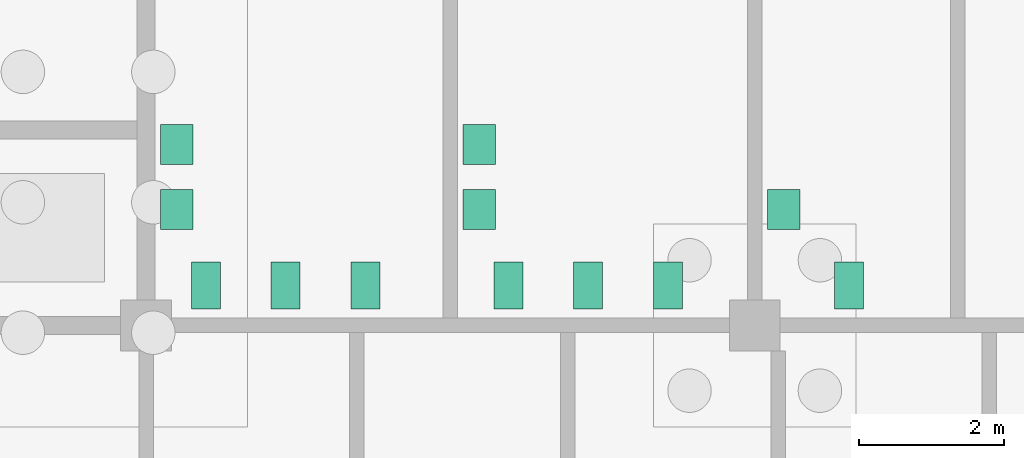
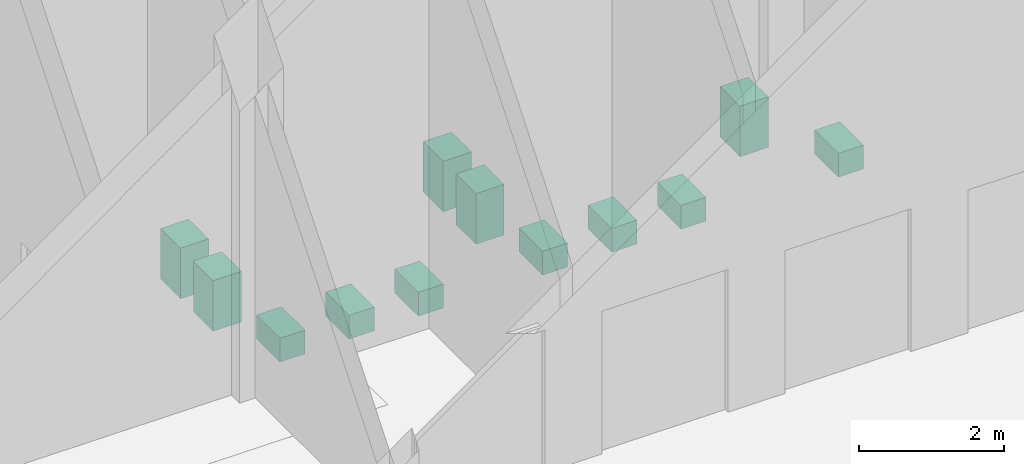
# One storey, part 43 of 46: 12 sanitary terminals.
"""IFC4 building model written with IfcOpenShell, lengths in metres."""

import ifcopenshell
import ifcopenshell.guid

model = None  # the IFC model being written
_history = None  # IfcOwnerHistory: only IFC2X3 demands one
_inside = {}  # id of a spatial element -> (the spatial element, [elements in it])
_under = {}  # id of a project, library or spatial element -> (it, [spatial elements below it])
_declared = {}  # id of a project -> (the project, [libraries it declares])
_typed = {}  # id of a type object -> (the type object, [elements of that type])
_made_of = {}  # id of a material, layer set ... -> (it, [elements and type objects made of it])


def new_model(schema):
    """Start an empty IFC model of exactly this schema.

    Asked for "IFC4X3", IfcOpenShell would pick the latest addendum, in which some entities
    have other attributes; the version numbers below select the first issue.
    IFC2X3 requires an IfcOwnerHistory on every rooted entity: one is made here for all.
    """
    global model, _history
    if schema == "IFC4X3":
        model = ifcopenshell.file(schema_version=(4, 3, 0, 0))
    else:
        model = ifcopenshell.file(schema=schema)
    _inside.clear()
    _under.clear()
    _declared.clear()
    _typed.clear()
    _made_of.clear()
    _history = None
    if model.schema == "IFC2X3":
        org = make("IfcOrganization", Name="unknown")
        user = make(
            "IfcPersonAndOrganization",
            ThePerson=make("IfcPerson", FamilyName="unknown"),
            TheOrganization=org,
        )
        app = make(
            "IfcApplication",
            ApplicationDeveloper=org,
            Version="unknown",
            ApplicationFullName="unknown",
            ApplicationIdentifier="unknown",
        )
        _history = make(
            "IfcOwnerHistory",
            OwningUser=user,
            OwningApplication=app,
            ChangeAction="ADDED",
            CreationDate=0,
        )
    return model


def make(cls, **values):
    """One entity of the class cls with the attributes given. An attribute that is None is left unset."""
    return model.create_entity(
        cls, **{name: value for name, value in values.items() if value is not None}
    )


def rooted(cls, **values):
    """An entity with a GlobalId (a new one), such as an element, a storey or a relation."""
    return make(cls, GlobalId=ifcopenshell.guid.new(), OwnerHistory=_history, **values)


def si_unit(unit_type, name, prefix=None):
    """IfcSIUnit, for example si_unit("LENGTHUNIT", "METRE", prefix="MILLI")."""
    return make("IfcSIUnit", UnitType=unit_type, Prefix=prefix, Name=name)


def assignment(units):
    """IfcUnitAssignment: the units of a project."""
    return None if units is None else make("IfcUnitAssignment", Units=units)


def point(xyz):
    """IfcCartesianPoint."""
    return None if xyz is None else make("IfcCartesianPoint", Coordinates=xyz)


def direction(xyz):
    """IfcDirection."""
    return None if xyz is None else make("IfcDirection", DirectionRatios=xyz)


def frame(location, z_axis=None, x_axis=None):
    """IfcAxis2Placement3D, a coordinate frame: its origin and axes. An axis left out is left unset."""
    return make(
        "IfcAxis2Placement3D",
        Location=point(location),
        Axis=direction(z_axis),
        RefDirection=direction(x_axis),
    )


def frame_2d(location, x_axis=None):
    """IfcAxis2Placement2D, a coordinate frame in the plane: its origin and x axis."""
    return make(
        "IfcAxis2Placement2D", Location=point(location), RefDirection=direction(x_axis)
    )


def origin():
    """The frame at (0, 0, 0) with its axes left unset."""
    return frame((0.0, 0.0, 0.0))


def origin_2d():
    """The frame at (0, 0) in the plane with its x axis left unset."""
    return frame_2d((0.0, 0.0))


def place(relative_to, where):
    """IfcLocalPlacement: puts the frame where relative to a parent placement (None: the world)."""
    return make(
        "IfcLocalPlacement", PlacementRelTo=relative_to, RelativePlacement=where
    )


def context(
    kind, dimensions, precision=None, world=None, true_north=None, identifier=None
):
    """IfcGeometricRepresentationContext, for example the 3D "Model" context."""
    return make(
        "IfcGeometricRepresentationContext",
        ContextIdentifier=identifier,
        ContextType=kind,
        CoordinateSpaceDimension=dimensions,
        Precision=precision,
        WorldCoordinateSystem=world,
        TrueNorth=true_north,
    )


def subcontext(parent, identifier, kind, view, scale=None):
    """IfcGeometricRepresentationSubContext, for example "Body" below "Model"."""
    return make(
        "IfcGeometricRepresentationSubContext",
        ContextIdentifier=identifier,
        ContextType=kind,
        ParentContext=parent,
        TargetScale=scale,
        TargetView=view,
    )


def project(units=None, contexts=None):
    """IfcProject with its units and contexts."""
    return rooted(
        "IfcProject",
        Name="project",
        RepresentationContexts=contexts,
        UnitsInContext=assignment(units),
    )


def spatial(cls, under=None, at=None, **own):
    """A site, building, storey or space (cls), placed at a placement, below another one or the project."""
    s = rooted(cls, ObjectPlacement=at, **own)
    if under is not None:
        _under.setdefault(under.id(), (under, []))[1].append(s)
    return s


def profile(cls, at=None, kind="AREA", **sizes):
    """A parametric profile (cls). Its sizes go by their IFC names, for example OverallWidth=200.0."""
    return make(cls, ProfileType=kind, Position=at, **sizes)


def rectangle(**sizes):
    """IfcRectangleProfileDef."""
    return profile("IfcRectangleProfileDef", **sizes)


def extrude(swept, where, along, depth):
    """IfcExtrudedAreaSolid: the profile swept, set in the frame where, extruded along a direction by depth."""
    return make(
        "IfcExtrudedAreaSolid",
        SweptArea=swept,
        Position=where,
        ExtrudedDirection=direction(along),
        Depth=depth,
    )


def shape(context_of_items, identifier, shape_type, items):
    """IfcShapeRepresentation: the items that make up one representation, for example the "Body"."""
    return make(
        "IfcShapeRepresentation",
        ContextOfItems=context_of_items,
        RepresentationIdentifier=identifier,
        RepresentationType=shape_type,
        Items=items,
    )


def material(Name=None, Category=None):
    """IfcMaterial."""
    return make("IfcMaterial", Name=Name, Category=Category)


def made_of(thing, what):
    """Note that an element or type object is made of a material, layer set ...; save() writes the relation."""
    if what is not None:
        _made_of.setdefault(what.id(), (what, []))[1].append(thing)
    return thing


def element(
    cls,
    number,
    at=None,
    inside=None,
    cuts=None,
    type_object=None,
    material=None,
    context=None,
    identifier="Body",
    shape_type=None,
    held_by="IfcProductDefinitionShape",
    body=None,
    shapes=None,
    **own,
):
    """One element of the class cls, such as IfcWall. Its Tag is "e" and its number.

    at: its placement. inside: the storey or other place that contains it. cuts: it is an
    opening in that element (IfcRelVoidsElement). A single representation is given by context,
    identifier, shape_type and body (its items); several are given by shapes. held_by: the class
    of the entity that holds the representations. save() writes the other relations.
    """
    e = rooted(cls, Tag="e%d" % number, ObjectPlacement=at, **own)
    if body is not None:
        shapes = [shape(context, identifier, shape_type, body)]
    if shapes is not None:
        e.Representation = make(held_by, Representations=shapes)
    if inside is not None:
        _inside.setdefault(inside.id(), (inside, []))[1].append(e)
    if cuts is not None:
        rooted(
            "IfcRelVoidsElement", RelatingBuildingElement=cuts, RelatedOpeningElement=e
        )
    if type_object is not None:
        _typed.setdefault(type_object.id(), (type_object, []))[1].append(e)
    return made_of(e, material)


def aggregate(whole, parts):
    """IfcRelAggregates: a whole, such as a stair, and the parts it consists of."""
    return rooted("IfcRelAggregates", RelatingObject=whole, RelatedObjects=parts)


def save(model, path):
    """Write the relations noted so far, then the file.

    IfcRelAggregates (storeys below a building ...), IfcRelContainedInSpatialStructure (elements
    in a storey), IfcRelDefinesByType, IfcRelAssociatesMaterial and IfcRelDeclares: one each for
    every whole, place, type object, material and project.
    """
    for whole, parts in _under.values():
        aggregate(whole, parts)
    for where, things in _inside.values():
        rooted(
            "IfcRelContainedInSpatialStructure",
            RelatedElements=things,
            RelatingStructure=where,
        )
    for kind, things in _typed.values():
        rooted("IfcRelDefinesByType", RelatedObjects=things, RelatingType=kind)
    for what, things in _made_of.values():
        rooted("IfcRelAssociatesMaterial", RelatedObjects=things, RelatingMaterial=what)
    for by, libraries in _declared.values():
        rooted("IfcRelDeclares", RelatingContext=by, RelatedDefinitions=libraries)
    model.write(path)


model = new_model("IFC4")

# Units and contexts
model_context = context("Model", 3, precision=1e-05, world=origin(), true_north=direction((0.0, 1.0)))
body_context = subcontext(model_context, "Body", "Model", "MODEL_VIEW")
ifc_project = project(units=[si_unit("LENGTHUNIT", "METRE"), si_unit("AREAUNIT", "SQUARE_METRE"), si_unit("VOLUMEUNIT", "CUBIC_METRE"), si_unit("PLANEANGLEUNIT", "RADIAN"), si_unit("MASSUNIT", "GRAM", prefix="KILO")], contexts=[model_context])

# Site, building, storey
site_placement = place(None, origin())
site = spatial("IfcSite", under=ifc_project, at=site_placement, CompositionType="ELEMENT")
building_placement = place(site_placement, origin())
building = spatial("IfcBuilding", under=site, at=building_placement, Name="Vermilion Gate Residences", CompositionType="ELEMENT")
storey_placement = place(building_placement, origin())
storey = spatial("IfcBuildingStorey", under=building, at=storey_placement, Name="L00", CompositionType="ELEMENT", Elevation=0.0)

# Sanitary terminals
ifc_material = material(Name="Vitreous china")
for number, where, z_axis, x_axis, name in (
    (1, (76.72509765625, 25.75, 0.0), (0.0, 0.0, 1.0), (1.0, 0.0, 0.0), "WC pan Men's WC 1"),
    (2, (77.824951171875, 25.75, 0.0), (0.0, 0.0, 1.0), (1.0, 0.0, 0.0), "WC pan Men's WC 2"),
    (3, (78.925048828125, 25.75, 0.0), (0.0, 0.0, 1.0), (1.0, 0.0, 0.0), "WC pan Men's WC 3"),
):
    element("IfcSanitaryTerminal", number, at=place(storey_placement, frame(where, z_axis=z_axis, x_axis=x_axis)), inside=storey, material=ifc_material, Name=name, PredefinedType="TOILETPAN", context=body_context, shape_type="SweptSolid", body=[
        extrude(rectangle(XDim=0.39990234375, YDim=0.64990234375, at=origin_2d()), origin(), (0.0, 0.0, 1.0), 0.39990234375),
    ])
for number, where, z_axis, x_axis, name in (
    (4, (76.324951171875, 26.800048828125, 0.0), (0.0, 0.0, 1.0), (1.0, 0.0, 0.0), "Basin Men's WC 1"),
    (5, (76.324951171875, 27.699951171875, 0.0), (0.0, 0.0, 1.0), (1.0, 0.0, 0.0), "Basin Men's WC 2"),
):
    element("IfcSanitaryTerminal", number, at=place(storey_placement, frame(where, z_axis=z_axis, x_axis=x_axis)), inside=storey, material=ifc_material, Name=name, PredefinedType="WASHHANDBASIN", context=body_context, shape_type="SweptSolid", body=[
        extrude(rectangle(XDim=0.449951171875, YDim=0.550048828125, at=origin_2d()), origin(), (0.0, 0.0, 1.0), 0.85009765625),
    ])
for number, where, z_axis, x_axis, name in (
    (6, (80.89990234375, 25.75, 0.0), (0.0, 0.0, 1.0), (1.0, 0.0, 0.0), "WC pan Women's WC 1"),
    (7, (82.0, 25.75, 0.0), (0.0, 0.0, 1.0), (1.0, 0.0, 0.0), "WC pan Women's WC 2"),
    (8, (83.10009765625, 25.75, 0.0), (0.0, 0.0, 1.0), (1.0, 0.0, 0.0), "WC pan Women's WC 3"),
):
    element("IfcSanitaryTerminal", number, at=place(storey_placement, frame(where, z_axis=z_axis, x_axis=x_axis)), inside=storey, material=ifc_material, Name=name, PredefinedType="TOILETPAN", context=body_context, shape_type="SweptSolid", body=[
        extrude(rectangle(XDim=0.39990234375, YDim=0.64990234375, at=origin_2d()), origin(), (0.0, 0.0, 1.0), 0.39990234375),
    ])
for number, where, z_axis, x_axis, name in (
    (9, (80.5, 26.800048828125, 0.0), (0.0, 0.0, 1.0), (1.0, 0.0, 0.0), "Basin Women's WC 1"),
    (10, (80.5, 27.699951171875, 0.0), (0.0, 0.0, 1.0), (1.0, 0.0, 0.0), "Basin Women's WC 2"),
):
    element("IfcSanitaryTerminal", number, at=place(storey_placement, frame(where, z_axis=z_axis, x_axis=x_axis)), inside=storey, material=ifc_material, Name=name, PredefinedType="WASHHANDBASIN", context=body_context, shape_type="SweptSolid", body=[
        extrude(rectangle(XDim=0.449951171875, YDim=0.550048828125, at=origin_2d()), origin(), (0.0, 0.0, 1.0), 0.85009765625),
    ])
sanitary_terminal_1_placement = place(storey_placement, frame((85.60009765625, 25.75, 0.0), z_axis=(0.0, 0.0, 1.0), x_axis=(1.0, 0.0, 0.0)))
element("IfcSanitaryTerminal", 11, at=sanitary_terminal_1_placement, inside=storey, material=ifc_material, Name="WC pan Accessible WC 1", PredefinedType="TOILETPAN", context=body_context, shape_type="SweptSolid", body=[
    extrude(rectangle(XDim=0.39990234375, YDim=0.64990234375, at=origin_2d()), origin(), (0.0, 0.0, 1.0), 0.39990234375),
])
sanitary_terminal_2_placement = place(storey_placement, frame((84.699951171875, 26.800048828125, 0.0), z_axis=(0.0, 0.0, 1.0), x_axis=(1.0, 0.0, 0.0)))
element("IfcSanitaryTerminal", 12, at=sanitary_terminal_2_placement, inside=storey, material=ifc_material, Name="Basin Accessible WC 1", PredefinedType="WASHHANDBASIN", context=body_context, shape_type="SweptSolid", body=[
    extrude(rectangle(XDim=0.449951171875, YDim=0.550048828125, at=origin_2d()), origin(), (0.0, 0.0, 1.0), 0.85009765625),
])

save(model, "model.ifc")
